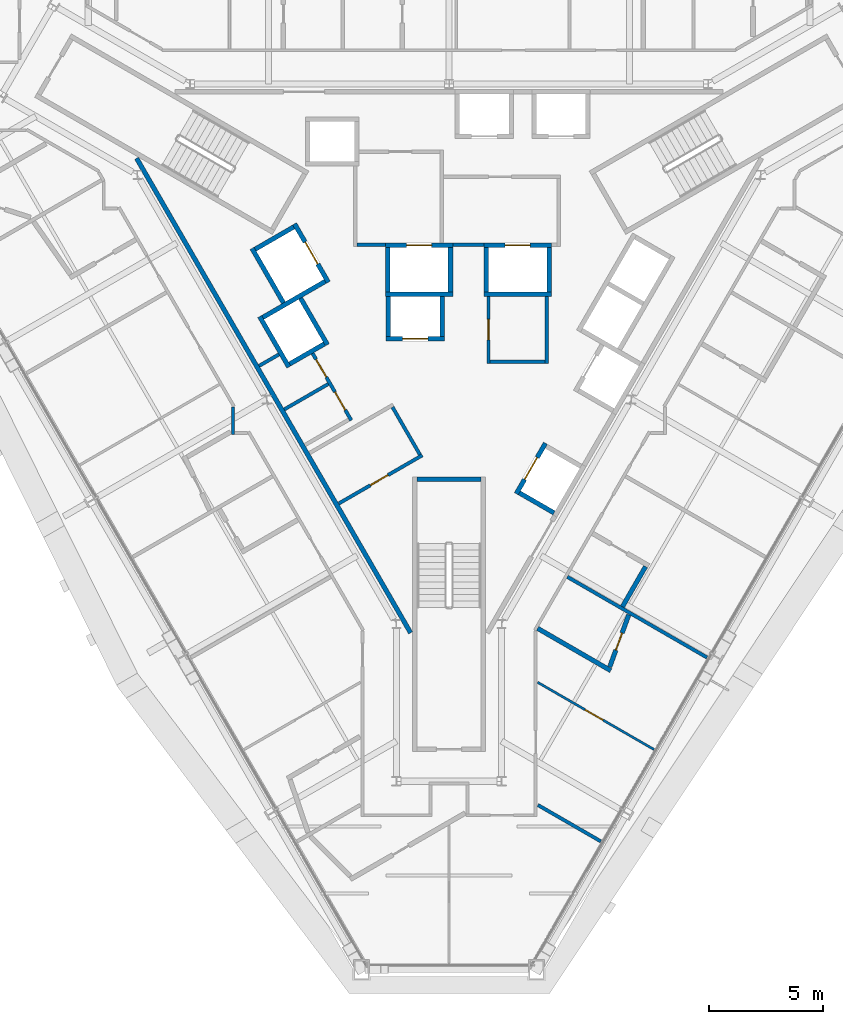
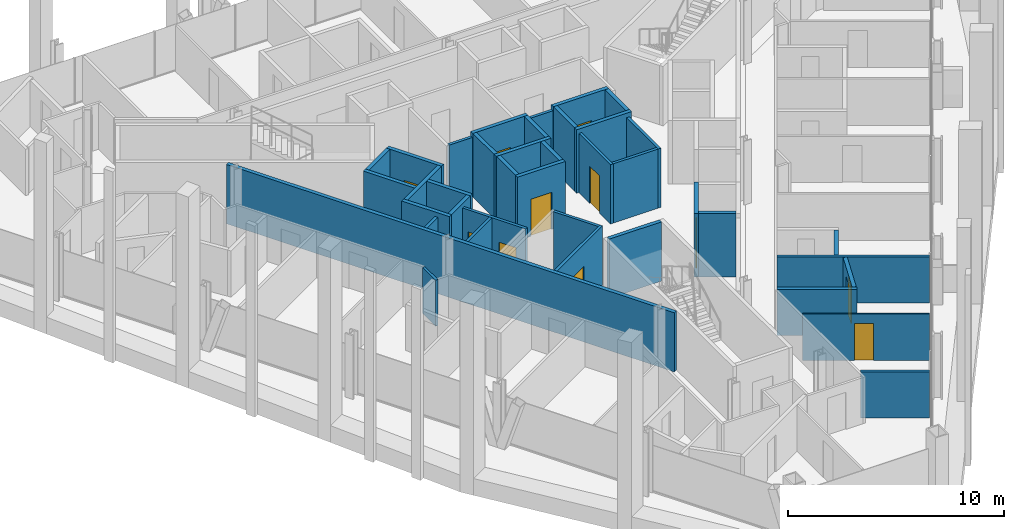
# One storey, part 11 of 17: 39 walls, 11 doors, 11 openings.
"""IFC4 building model written with IfcOpenShell, lengths in metres."""

from ifc_helpers import new_model, si_unit, direction, frame, frame_2d, origin, place, context, subcontext, project, spatial, rectangle, extrude, material, layer, layer_set, type_object, element, fill, save


model = new_model("IFC4")

# Units and contexts
model_context = context("Model", 3, precision=1e-05, world=origin(), true_north=direction((0.0, 1.0)))
body_context = subcontext(model_context, "Body", "Model", "MODEL_VIEW")
ifc_project = project(units=[si_unit("LENGTHUNIT", "METRE"), si_unit("AREAUNIT", "SQUARE_METRE"), si_unit("VOLUMEUNIT", "CUBIC_METRE"), si_unit("PLANEANGLEUNIT", "RADIAN"), si_unit("MASSUNIT", "GRAM", prefix="KILO")], contexts=[model_context])

# Site, building, storey
site_placement = place(None, origin())
site = spatial("IfcSite", under=ifc_project, at=site_placement, CompositionType="ELEMENT")
building_placement = place(site_placement, origin())
building = spatial("IfcBuilding", under=site, at=building_placement, Name="Verrane Prism Tower", CompositionType="ELEMENT")
storey_placement = place(building_placement, frame((0.0, 0.0, 92.800048828125)))
storey = spatial("IfcBuildingStorey", under=building, at=storey_placement, Name="L21", CompositionType="ELEMENT", Elevation=92.800048828125)

# Walls
ifc_material_1 = material(Name="Gypsum board partition", Category="other")
ifc_layer_1 = layer(ifc_material_1, 0.199951171875)
ifc_layer_set_1 = layer_set([ifc_layer_1], Name="CW-200 core boundary wall 2 h")
wall_type_1 = type_object("IfcWallType", Name="CW-200 core boundary wall 2 h", PredefinedType="PARTITIONING", material=ifc_layer_set_1)
wall_1_placement = place(storey_placement, frame((-13.66357421875, 5.946044921875, 0.0), z_axis=(0.0, 0.0, 1.0), x_axis=(0.499994327219, -0.866028678941, 0.0)))
element("IfcWall", 1, at=wall_1_placement, inside=storey, type_object=wall_type_1, Name="Core boundary wall CW3-001", PredefinedType="PARTITIONING", context=body_context, shape_type="SweptSolid", body=[
    extrude(rectangle(XDim=23.967529296875, YDim=0.199951171875, at=frame_2d((11.98388671875, 0.0))), origin(), (0.0, 0.0, 1.0), 3.349853515625),
])
ifc_material_2 = material(Name="Concrete C40/50", Category="concrete")
ifc_layer_2 = layer(ifc_material_2, 0.199951171875)
ifc_layer_set_2 = layer_set([ifc_layer_2], Name="CW-200 stair core wall concrete C40/50 3 h")
wall_type_2 = type_object("IfcWallType", Name="CW-200 stair core wall concrete C40/50 3 h", PredefinedType="PARTITIONING", material=ifc_layer_set_2)
wall_2_placement = place(storey_placement, frame((-1.39990234375, -8.10009765625, 0.0), z_axis=(0.0, 0.0, 1.0), x_axis=(1.0, 0.0, 0.0)))
element("IfcWall", 2, at=wall_2_placement, inside=storey, type_object=wall_type_2, Name="Stair 3 enclosure wall", PredefinedType="PARTITIONING", context=body_context, shape_type="SweptSolid", body=[
    extrude(rectangle(XDim=2.7998046875, YDim=0.199951171875, at=frame_2d((1.39990234375, 0.0))), origin(), (0.0, 0.0, 1.0), 3.349853515625),
])

# Wall, opening, door
ifc_material_3 = material(Name="Gypsum board shaft wall assembly", Category="other")
ifc_layer_3 = layer(ifc_material_3, 0.199951171875)
ifc_layer_set_3 = layer_set([ifc_layer_3], Name="HW-200 lift shaft wall 2 h")
wall_type_3 = type_object("IfcWallType", Name="HW-200 lift shaft wall 2 h", PredefinedType="PARTITIONING", material=ifc_layer_set_3)
wall_3_placement = place(storey_placement, frame((-2.7548828125, -1.949951171875, 0.0), z_axis=(0.0, 0.0, 1.0), x_axis=(1.0, 0.0, 0.0)))
wall_3 = element("IfcWall", 3, at=wall_3_placement, inside=storey, type_object=wall_type_3, Name="Lift shaft wall", PredefinedType="PARTITIONING", context=body_context, shape_type="SweptSolid", body=[
    extrude(rectangle(XDim=2.5498046875, YDim=0.199951171875, at=frame_2d((1.27490234375, 0.0))), origin(), (0.0, 0.0, 1.0), 3.599853515625),
])
opening_1_placement = place(wall_3_placement, frame((0.72509765625, 0.0, 0.0)))
opening_1 = element("IfcOpeningElement", 4, at=opening_1_placement, cuts=wall_3, Name="Opening D21504", PredefinedType="OPENING", context=body_context, shape_type="SweptSolid", body=[
    extrude(rectangle(XDim=1.10009765625, YDim=2.10009765625, at=frame_2d((0.550048828125, 1.050048828125))), frame((0.0, 0.10986328125, 0.0), z_axis=(0.0, -1.0, 0.0), x_axis=(1.0, 0.0, 0.0)), (0.0, 0.0, 1.0), 0.219970703125),
])
ifc_material_4 = material(Name="Stainless steel sliding landing door", Category="steel")
door_type_1 = type_object("IfcDoorType", Name="LD-1100x2100 lift landing door FD90 sliding", OperationType="NOTDEFINED", PredefinedType="DOOR", material=ifc_material_4)
door_1_placement = place(opening_1_placement, origin())
door_1 = element("IfcDoor", 5, at=door_1_placement, inside=storey, type_object=door_type_1, Name="Bank A lift 2 landing door", OperationType="SLIDING_TO_RIGHT", OverallHeight=2.10009765625, OverallWidth=1.10009765625, PredefinedType="DOOR", context=body_context, shape_type="SweptSolid", body=[
    extrude(rectangle(XDim=1.10009765625, YDim=2.10009765625, at=frame_2d((0.550048828125, 1.050048828125))), frame((0.0, 0.02490234375, 0.0), z_axis=(0.0, -1.0, 0.0), x_axis=(1.0, 0.0, 0.0)), (0.0, 0.0, 1.0), 0.050048828125),
])
fill(opening_1, door_1)

# Walls
wall_4_placement = place(storey_placement, frame((-2.784912109375, 0.0, 0.0), z_axis=(0.0, 0.0, 1.0), x_axis=(1.0, 0.0, 0.0)))
element("IfcWall", 6, at=wall_4_placement, inside=storey, type_object=wall_type_3, Name="Lift shaft wall", PredefinedType="PARTITIONING", context=body_context, shape_type="SweptSolid", body=[
    extrude(rectangle(XDim=2.949951171875, YDim=0.199951171875, at=frame_2d((1.47509765625, 0.0))), origin(), (0.0, 0.0, 1.0), 3.599853515625),
])
wall_5_placement = place(storey_placement, frame((1.52490234375, 0.0, 0.0), z_axis=(0.0, 0.0, 1.0), x_axis=(1.0, 0.0, 0.0)))
element("IfcWall", 7, at=wall_5_placement, inside=storey, type_object=wall_type_3, Name="Lift shaft wall", PredefinedType="PARTITIONING", context=body_context, shape_type="SweptSolid", body=[
    extrude(rectangle(XDim=2.9501953125, YDim=0.199951171875, at=frame_2d((1.47509765625, 0.0))), origin(), (0.0, 0.0, 1.0), 3.599853515625),
])

# Wall, opening, door
wall_6_placement = place(storey_placement, frame((-2.784912109375, 2.14990234375, 0.0), z_axis=(0.0, 0.0, 1.0), x_axis=(1.0, 0.0, 0.0)))
wall_6 = element("IfcWall", 8, at=wall_6_placement, inside=storey, type_object=wall_type_3, Name="Lift shaft wall", PredefinedType="PARTITIONING", context=body_context, shape_type="SweptSolid", body=[
    extrude(rectangle(XDim=2.949951171875, YDim=0.199951171875, at=frame_2d((1.47509765625, 0.0))), origin(), (0.0, 0.0, 1.0), 3.599853515625),
])
opening_2_placement = place(wall_6_placement, frame((0.925048828125, 0.0, 0.0)))
opening_2 = element("IfcOpeningElement", 9, at=opening_2_placement, cuts=wall_6, Name="Opening D21508", PredefinedType="OPENING", context=body_context, shape_type="SweptSolid", body=[
    extrude(rectangle(XDim=1.10009765625, YDim=2.10009765625, at=frame_2d((0.550048828125, 1.050048828125))), frame((0.0, 0.10986328125, 0.0), z_axis=(0.0, -1.0, 0.0), x_axis=(1.0, 0.0, 0.0)), (0.0, 0.0, 1.0), 0.219970703125),
])
door_2_placement = place(opening_2_placement, origin())
door_2 = element("IfcDoor", 10, at=door_2_placement, inside=storey, type_object=door_type_1, Name="Fire service lift 1 landing door", OperationType="SLIDING_TO_LEFT", OverallHeight=2.10009765625, OverallWidth=1.10009765625, PredefinedType="DOOR", context=body_context, shape_type="SweptSolid", body=[
    extrude(rectangle(XDim=1.10009765625, YDim=2.10009765625, at=frame_2d((0.550048828125, 1.050048828125))), frame((0.0, 0.02490234375, 0.0), z_axis=(0.0, -1.0, 0.0), x_axis=(1.0, 0.0, 0.0)), (0.0, 0.0, 1.0), 0.050048828125),
])
fill(opening_2, door_2)

wall_7_placement = place(storey_placement, frame((1.52490234375, 2.14990234375, 0.0), z_axis=(0.0, 0.0, 1.0), x_axis=(1.0, 0.0, 0.0)))
wall_7 = element("IfcWall", 11, at=wall_7_placement, inside=storey, type_object=wall_type_3, Name="Lift shaft wall", PredefinedType="PARTITIONING", context=body_context, shape_type="SweptSolid", body=[
    extrude(rectangle(XDim=2.9501953125, YDim=0.199951171875, at=frame_2d((1.47509765625, 0.0))), origin(), (0.0, 0.0, 1.0), 3.599853515625),
])
opening_3_placement = place(wall_7_placement, frame((0.925048828125, 0.0, 0.0)))
opening_3 = element("IfcOpeningElement", 12, at=opening_3_placement, cuts=wall_7, Name="Opening D21509", PredefinedType="OPENING", context=body_context, shape_type="SweptSolid", body=[
    extrude(rectangle(XDim=1.10009765625, YDim=2.10009765625, at=frame_2d((0.550048828125, 1.050048828125))), frame((0.0, 0.10986328125, 0.0), z_axis=(0.0, -1.0, 0.0), x_axis=(1.0, 0.0, 0.0)), (0.0, 0.0, 1.0), 0.219970703125),
])
door_3_placement = place(opening_3_placement, origin())
door_3 = element("IfcDoor", 13, at=door_3_placement, inside=storey, type_object=door_type_1, Name="Fire service lift 2 landing door", OperationType="SLIDING_TO_RIGHT", OverallHeight=2.10009765625, OverallWidth=1.10009765625, PredefinedType="DOOR", context=body_context, shape_type="SweptSolid", body=[
    extrude(rectangle(XDim=1.10009765625, YDim=2.10009765625, at=frame_2d((0.550048828125, 1.050048828125))), frame((0.0, 0.02490234375, 0.0), z_axis=(0.0, -1.0, 0.0), x_axis=(1.0, 0.0, 0.0)), (0.0, 0.0, 1.0), 0.050048828125),
])
fill(opening_3, door_3)

# Walls
wall_8_placement = place(storey_placement, frame((-6.9697265625, -3.048095703125, 0.0), z_axis=(0.0, 0.0, 1.0), x_axis=(0.866036909293, 0.499980071345, 0.0)))
element("IfcWall", 14, at=wall_8_placement, inside=storey, type_object=wall_type_3, Name="Lift shaft wall", PredefinedType="PARTITIONING", context=body_context, shape_type="SweptSolid", body=[
    extrude(rectangle(XDim=1.75, YDim=0.199951171875, at=frame_2d((0.875, 0.0))), origin(), (0.0, 0.0, 1.0), 3.599853515625),
])
wall_9_placement = place(storey_placement, frame((-8.14453125, -1.012939453125, 0.0), z_axis=(0.0, 0.0, 1.0), x_axis=(0.866016494683, 0.500015430699, 0.0)))
element("IfcWall", 15, at=wall_9_placement, inside=storey, type_object=wall_type_3, Name="Lift shaft wall", PredefinedType="PARTITIONING", context=body_context, shape_type="SweptSolid", body=[
    extrude(rectangle(XDim=3.14990234375, YDim=0.199951171875, at=frame_2d((1.574951171875, 0.0))), origin(), (0.0, 0.0, 1.0), 3.599853515625),
])
wall_10_placement = place(storey_placement, frame((-8.48046875, 1.968505859375, 0.0), z_axis=(0.0, 0.0, 1.0), x_axis=(0.866000020948, 0.500043961785, 0.0)))
element("IfcWall", 16, at=wall_10_placement, inside=storey, type_object=wall_type_3, Name="Lift shaft wall", PredefinedType="PARTITIONING", context=body_context, shape_type="SweptSolid", body=[
    extrude(rectangle(XDim=1.949951171875, YDim=0.199951171875, at=frame_2d((0.97509765625, 0.0))), origin(), (0.0, 0.0, 1.0), 3.599853515625),
])

# Wall, opening, door
wall_11_placement = place(storey_placement, frame((2.941650390625, -8.724853515625, 0.0), z_axis=(0.0, 0.0, 1.0), x_axis=(0.500020783669, 0.866013403995, 0.0)))
wall_11 = element("IfcWall", 17, at=wall_11_placement, inside=storey, type_object=wall_type_3, Name="Lift shaft wall", PredefinedType="PARTITIONING", context=body_context, shape_type="SweptSolid", body=[
    extrude(rectangle(XDim=2.55029296875, YDim=0.199951171875, at=frame_2d((1.275146484375, 0.0))), origin(), (0.0, 0.0, 1.0), 3.599853515625),
])
opening_4_placement = place(wall_11_placement, frame((0.72509765625, 0.0, 0.0)))
opening_4 = element("IfcOpeningElement", 18, at=opening_4_placement, cuts=wall_11, Name="Opening D21506", PredefinedType="OPENING", context=body_context, shape_type="SweptSolid", body=[
    extrude(rectangle(XDim=1.10009765625, YDim=2.10009765625, at=frame_2d((0.550048828125, 1.050048828125))), frame((0.0, 0.10986328125, 0.0), z_axis=(0.0, -1.0, 0.0), x_axis=(1.0, 0.0, 0.0)), (0.0, 0.0, 1.0), 0.219970703125),
])
door_4_placement = place(opening_4_placement, origin())
door_4 = element("IfcDoor", 19, at=door_4_placement, inside=storey, type_object=door_type_1, Name="Bank A lift 4 landing door", OperationType="SLIDING_TO_RIGHT", OverallHeight=2.10009765625, OverallWidth=1.10009765625, PredefinedType="DOOR", context=body_context, shape_type="SweptSolid", body=[
    extrude(rectangle(XDim=1.10009765625, YDim=2.10009765625, at=frame_2d((0.550048828125, 1.050048828125))), frame((0.0, 0.02490234375, 0.0), z_axis=(0.0, -1.0, 0.0), x_axis=(1.0, 0.0, 0.0)), (0.0, 0.0, 1.0), 0.050048828125),
])
fill(opening_4, door_4)

# Walls
for number, where, z_axis, x_axis, name in (
    (20, (4.375, 0.10009765625, 0.0), (0.0, 0.0, 1.0), (0.0, 1.0, 0.0), "Lift shaft wall"),
    (21, (1.625, 0.10009765625, 0.0), (0.0, 0.0, 1.0), (0.0, 1.0, 0.0), "Lift shaft wall"),
    (22, (0.06494140625, 0.10009765625, 0.0), (0.0, 0.0, 1.0), (0.0, 1.0, 0.0), "Lift shaft wall"),
):
    element("IfcWall", number, at=place(storey_placement, frame(where, z_axis=z_axis, x_axis=x_axis)), inside=storey, type_object=wall_type_3, Name=name, PredefinedType="PARTITIONING", context=body_context, shape_type="SweptSolid", body=[
        extrude(rectangle(XDim=1.949951171875, YDim=0.199951171875, at=frame_2d((0.97509765625, 0.0))), origin(), (0.0, 0.0, 1.0), 3.599853515625),
    ])
for number, where, z_axis, x_axis, name in (
    (23, (-0.304931640625, -1.85009765625, 0.0), (0.0, 0.0, 1.0), (0.0, 1.0, 0.0), "Lift shaft wall"),
    (24, (-2.655029296875, -1.85009765625, 0.0), (0.0, 0.0, 1.0), (0.0, 1.0, 0.0), "Lift shaft wall"),
):
    element("IfcWall", number, at=place(storey_placement, frame(where, z_axis=z_axis, x_axis=x_axis)), inside=storey, type_object=wall_type_3, Name=name, PredefinedType="PARTITIONING", context=body_context, shape_type="SweptSolid", body=[
        extrude(rectangle(XDim=1.75, YDim=0.199951171875, at=frame_2d((0.875, 0.0))), origin(), (0.0, 0.0, 1.0), 3.599853515625),
    ])
wall_12_placement = place(storey_placement, frame((-2.68505859375, 0.10009765625, 0.0), z_axis=(0.0, 0.0, 1.0), x_axis=(0.0, 1.0, 0.0)))
element("IfcWall", 25, at=wall_12_placement, inside=storey, type_object=wall_type_3, Name="Lift shaft wall", PredefinedType="PARTITIONING", context=body_context, shape_type="SweptSolid", body=[
    extrude(rectangle(XDim=1.949951171875, YDim=0.199951171875, at=frame_2d((0.97509765625, 0.0))), origin(), (0.0, 0.0, 1.0), 3.599853515625),
])

# Wall, opening, door
wall_13_placement = place(storey_placement, frame((-5.280029296875, 0.525390625, 0.0), z_axis=(0.0, 0.0, 1.0), x_axis=(-0.500037662692, 0.866003658127, 0.0)))
wall_13 = element("IfcWall", 26, at=wall_13_placement, inside=storey, type_object=wall_type_3, Name="Lift shaft wall", PredefinedType="PARTITIONING", context=body_context, shape_type="SweptSolid", body=[
    extrude(rectangle(XDim=2.949951171875, YDim=0.199951171875, at=frame_2d((1.47509765625, 0.0))), origin(), (0.0, 0.0, 1.0), 3.599853515625),
])
opening_5_placement = place(wall_13_placement, frame((0.925048828125, 0.0, 0.0)))
opening_5 = element("IfcOpeningElement", 27, at=opening_5_placement, cuts=wall_13, Name="Opening D21510", PredefinedType="OPENING", context=body_context, shape_type="SweptSolid", body=[
    extrude(rectangle(XDim=1.10009765625, YDim=2.10009765625, at=frame_2d((0.550048828125, 1.050048828125))), frame((0.0, 0.10986328125, 0.0), z_axis=(0.0, -1.0, 0.0), x_axis=(1.0, 0.0, 0.0)), (0.0, 0.0, 1.0), 0.219970703125),
])
door_5_placement = place(opening_5_placement, origin())
door_5 = element("IfcDoor", 28, at=door_5_placement, inside=storey, type_object=door_type_1, Name="Service lift 1 landing door", OperationType="SLIDING_TO_LEFT", OverallHeight=2.10009765625, OverallWidth=1.10009765625, PredefinedType="DOOR", context=body_context, shape_type="SweptSolid", body=[
    extrude(rectangle(XDim=1.10009765625, YDim=2.10009765625, at=frame_2d((0.550048828125, 1.050048828125))), frame((0.0, 0.02490234375, 0.0), z_axis=(0.0, -1.0, 0.0), x_axis=(1.0, 0.0, 0.0)), (0.0, 0.0, 1.0), 0.050048828125),
])
fill(opening_5, door_5)

# Walls
wall_14_placement = place(storey_placement, frame((-5.317626953125, -2.209716796875, 0.0), z_axis=(0.0, 0.0, 1.0), x_axis=(-0.499938297808, 0.866061024631, 0.0)))
element("IfcWall", 29, at=wall_14_placement, inside=storey, type_object=wall_type_3, Name="Lift shaft wall", PredefinedType="PARTITIONING", context=body_context, shape_type="SweptSolid", body=[
    extrude(rectangle(XDim=2.349853515625, YDim=0.199951171875, at=frame_2d((1.1748046875, 0.0))), origin(), (0.0, 0.0, 1.0), 3.599853515625),
])
wall_15_placement = place(storey_placement, frame((-7.241943359375, -0.37646484375, 0.0), z_axis=(0.0, 0.0, 1.0), x_axis=(-0.499996545922, 0.866027397988, 0.0)))
element("IfcWall", 30, at=wall_15_placement, inside=storey, type_object=wall_type_3, Name="Lift shaft wall", PredefinedType="PARTITIONING", context=body_context, shape_type="SweptSolid", body=[
    extrude(rectangle(XDim=2.75, YDim=0.199951171875, at=frame_2d((1.375, 0.0))), origin(), (0.0, 0.0, 1.0), 3.599853515625),
])
wall_16_placement = place(storey_placement, frame((-7.00634765625, -3.184814453125, 0.0), z_axis=(0.0, 0.0, 1.0), x_axis=(-0.499990435942, 0.866030925526, 0.0)))
element("IfcWall", 31, at=wall_16_placement, inside=storey, type_object=wall_type_3, Name="Lift shaft wall", PredefinedType="PARTITIONING", context=body_context, shape_type="SweptSolid", body=[
    extrude(rectangle(XDim=2.5498046875, YDim=0.199951171875, at=frame_2d((1.27490234375, 0.0))), origin(), (0.0, 0.0, 1.0), 3.599853515625),
])
wall_17_placement = place(storey_placement, frame((4.593994140625, -9.563232421875, 0.0), z_axis=(0.0, 0.0, 1.0), x_axis=(-0.866036909293, 0.499980071345, 0.0)))
element("IfcWall", 32, at=wall_17_placement, inside=storey, type_object=wall_type_3, Name="Lift shaft wall", PredefinedType="PARTITIONING", context=body_context, shape_type="SweptSolid", body=[
    extrude(rectangle(XDim=1.75, YDim=0.199951171875, at=frame_2d((0.875, 0.0))), origin(), (0.0, 0.0, 1.0), 3.599853515625),
])
ifc_material_5 = material(Name="Gypsum board partition", Category="other")
ifc_layer_4 = layer(ifc_material_5, 0.14990234375)
ifc_layer_set_4 = layer_set([ifc_layer_4], Name="LF-150 firefighting lobby wall 1 h")
wall_type_4 = type_object("IfcWallType", Name="LF-150 firefighting lobby wall 1 h", PredefinedType="PARTITIONING", material=ifc_layer_set_4)
wall_18_placement = place(storey_placement, frame((-4.02490234375, 2.159912109375, 0.0), z_axis=(0.0, 0.0, 1.0), x_axis=(1.0, 0.0, 0.0)))
element("IfcWall", 33, at=wall_18_placement, inside=storey, type_object=wall_type_4, Name="Firefighting lobby wall LF1-002", PredefinedType="PARTITIONING", context=body_context, shape_type="SweptSolid", body=[
    extrude(rectangle(XDim=1.23779296875, YDim=0.14990234375, at=frame_2d((0.618896484375, 0.0))), origin(), (0.0, 0.0, 1.0), 3.349853515625),
])
wall_19_placement = place(storey_placement, frame((0.1669921875, 2.159912109375, 0.0), z_axis=(0.0, 0.0, 1.0), x_axis=(1.0, 0.0, 0.0)))
element("IfcWall", 34, at=wall_19_placement, inside=storey, type_object=wall_type_4, Name="Firefighting lobby wall LF1-006", PredefinedType="PARTITIONING", context=body_context, shape_type="SweptSolid", body=[
    extrude(rectangle(XDim=1.35595703125, YDim=0.14990234375, at=frame_2d((0.677978515625, 0.0))), origin(), (0.0, 0.0, 1.0), 3.349853515625),
])

# Wall, opening, door
ifc_material_6 = material(Name="Gypsum board partition", Category="other")
ifc_layer_5 = layer(ifc_material_6, 0.10009765625)
ifc_layer_set_5 = layer_set([ifc_layer_5], Name="PW-100 room partition")
wall_type_5 = type_object("IfcWallType", Name="PW-100 room partition", PredefinedType="PARTITIONING", material=ifc_layer_set_5)
wall_20_placement = place(storey_placement, frame((3.87451171875, -16.972412109375, 0.0), z_axis=(0.0, 0.0, 1.0), x_axis=(0.86602429061, -0.500001928069, 0.0)))
wall_20 = element("IfcWall", 35, at=wall_20_placement, inside=storey, type_object=wall_type_5, Name="Room partition 058", PredefinedType="PARTITIONING", context=body_context, shape_type="SweptSolid", body=[
    extrude(rectangle(XDim=5.873046875, YDim=0.10009765625, at=frame_2d((2.9365234375, 0.0))), origin(), (0.0, 0.0, 1.0), 2.613037109375),
])
opening_6_placement = place(wall_20_placement, frame((2.39892578125, 0.0, 0.0)))
opening_6 = element("IfcOpeningElement", 36, at=opening_6_placement, cuts=wall_20, Name="Opening D21002", PredefinedType="OPENING", context=body_context, shape_type="SweptSolid", body=[
    extrude(rectangle(XDim=0.89990234375, YDim=2.10009765625, at=frame_2d((0.449951171875, 1.050048828125))), frame((0.0, 0.06005859375, 0.0), z_axis=(0.0, -1.0, 0.0), x_axis=(1.0, 0.0, 0.0)), (0.0, 0.0, 1.0), 0.1201171875),
])
ifc_material_7 = material(Name="Timber veneered door leaf", Category="wood")
door_type_2 = type_object("IfcDoorType", Name="DR-900x2100 single leaf inner", OperationType="NOTDEFINED", PredefinedType="DOOR", material=ifc_material_7)
door_6_placement = place(opening_6_placement, origin())
door_6 = element("IfcDoor", 37, at=door_6_placement, inside=storey, type_object=door_type_2, Name="Suite Living Room door", OperationType="SINGLE_SWING_RIGHT", OverallHeight=2.10009765625, OverallWidth=0.89990234375, PredefinedType="DOOR", context=body_context, shape_type="SweptSolid", body=[
    extrude(rectangle(XDim=0.89990234375, YDim=2.10009765625, at=frame_2d((0.449951171875, 1.050048828125))), frame((0.0, 0.02490234375, 0.0), z_axis=(0.0, -1.0, 0.0), x_axis=(1.0, 0.0, 0.0)), (0.0, 0.0, 1.0), 0.050048828125),
])
fill(opening_6, door_6)

# Walls
ifc_material_8 = material(Name="Gypsum board partition", Category="other")
ifc_layer_6 = layer(ifc_material_8, 0.125)
ifc_layer_set_6 = layer_set([ifc_layer_6], Name="PW-125 corridor wall 1 h")
wall_type_6 = type_object("IfcWallType", Name="PW-125 corridor wall 1 h", PredefinedType="PARTITIONING", material=ifc_layer_set_6)
wall_21_placement = place(storey_placement, frame((-9.44091796875, -6.133544921875, 0.0), z_axis=(0.0, 0.0, 1.0), x_axis=(0.0, 1.0, 0.0)))
element("IfcWall", 38, at=wall_21_placement, inside=storey, type_object=wall_type_6, Name="Corridor wall 033", PredefinedType="PARTITIONING", context=body_context, shape_type="SweptSolid", body=[
    extrude(rectangle(XDim=1.200439453125, YDim=0.125, at=frame_2d((0.60009765625, 0.0))), origin(), (0.0, 0.0, 1.0), 2.613037109375),
])
ifc_material_9 = material(Name="Gypsum board partition", Category="other")
ifc_layer_7 = layer(ifc_material_9, 0.14990234375)
ifc_layer_set_7 = layer_set([ifc_layer_7], Name="PW-150 demising wall 1 h")
wall_type_7 = type_object("IfcWallType", Name="PW-150 demising wall 1 h", PredefinedType="PARTITIONING", material=ifc_layer_set_7)
wall_22_placement = place(storey_placement, frame((3.886962890625, -22.33984375, 0.0), z_axis=(0.0, 0.0, 1.0), x_axis=(0.866065365018, -0.499930778725, 0.0)))
element("IfcWall", 39, at=wall_22_placement, inside=storey, type_object=wall_type_7, Name="Demising wall 057", PredefinedType="PARTITIONING", context=body_context, shape_type="SweptSolid", body=[
    extrude(rectangle(XDim=3.1787109375, YDim=0.14990234375, at=frame_2d((1.58935546875, 0.0))), origin(), (0.0, 0.0, 1.0), 2.613037109375),
])
wall_23_placement = place(storey_placement, frame((5.175048828125, -12.3623046875, 0.0), z_axis=(0.0, 0.0, 1.0), x_axis=(0.866031654768, -0.499989172823, 0.0)))
element("IfcWall", 40, at=wall_23_placement, inside=storey, type_object=wall_type_7, Name="Demising wall 061", PredefinedType="PARTITIONING", context=body_context, shape_type="SweptSolid", body=[
    extrude(rectangle(XDim=7.052001953125, YDim=0.14990234375, at=frame_2d((3.52587890625, 0.0))), origin(), (0.0, 0.0, 1.0), 2.613037109375),
])
ifc_material_10 = material(Name="Gypsum board partition", Category="other")
ifc_layer_8 = layer(ifc_material_10, 0.199951171875)
ifc_layer_set_8 = layer_set([ifc_layer_8], Name="PW-200 plumbing wall")
wall_type_8 = type_object("IfcWallType", Name="PW-200 plumbing wall", PredefinedType="PARTITIONING", material=ifc_layer_set_8)
wall_24_placement = place(storey_placement, frame((3.875244140625, -14.61328125, 0.0), z_axis=(0.0, 0.0, 1.0), x_axis=(0.865890522866, -0.500233547866, 0.0)))
element("IfcWall", 41, at=wall_24_placement, inside=storey, type_object=wall_type_8, Name="Plumbing wall 060", PredefinedType="PARTITIONING", context=body_context, shape_type="SweptSolid", body=[
    extrude(rectangle(XDim=3.693603515625, YDim=0.199951171875, at=frame_2d((1.8466796875, 0.0))), origin(), (0.0, 0.0, 1.0), 2.613037109375),
])

# Wall, opening, door
wall_25_placement = place(storey_placement, frame((7.028076171875, -16.29833984375, 0.0), z_axis=(0.0, 0.0, 1.0), x_axis=(0.342817359533, 0.939402074728, 0.0)))
wall_25 = element("IfcWall", 42, at=wall_25_placement, inside=storey, type_object=wall_type_8, Name="Plumbing wall 064", PredefinedType="PARTITIONING", context=body_context, shape_type="SweptSolid", body=[
    extrude(rectangle(XDim=2.42626953125, YDim=0.199951171875, at=frame_2d((1.213134765625, 0.0))), origin(), (0.0, 0.0, 1.0), 2.613037109375),
])
opening_7_placement = place(wall_25_placement, frame((0.780029296875, 0.0, 0.0)))
opening_7 = element("IfcOpeningElement", 43, at=opening_7_placement, cuts=wall_25, Name="Opening D21003", PredefinedType="OPENING", context=body_context, shape_type="SweptSolid", body=[
    extrude(rectangle(XDim=0.800048828125, YDim=2.10009765625, at=frame_2d((0.39990234375, 1.050048828125))), frame((0.0, 0.10986328125, 0.0), z_axis=(0.0, -1.0, 0.0), x_axis=(1.0, 0.0, 0.0)), (0.0, 0.0, 1.0), 0.219970703125),
])
ifc_material_11 = material(Name="Timber veneered door leaf", Category="wood")
door_type_3 = type_object("IfcDoorType", Name="DR-800x2100 single leaf bath", OperationType="NOTDEFINED", PredefinedType="DOOR", material=ifc_material_11)
door_7_placement = place(opening_7_placement, origin())
door_7 = element("IfcDoor", 44, at=door_7_placement, inside=storey, type_object=door_type_3, Name="En-Suite door", OperationType="SINGLE_SWING_LEFT", OverallHeight=2.10009765625, OverallWidth=0.800048828125, PredefinedType="DOOR", context=body_context, shape_type="SweptSolid", body=[
    extrude(rectangle(XDim=0.800048828125, YDim=2.10009765625, at=frame_2d((0.39990234375, 1.050048828125))), frame((0.0, 0.02490234375, 0.0), z_axis=(0.0, -1.0, 0.0), x_axis=(1.0, 0.0, 0.0)), (0.0, 0.0, 1.0), 0.050048828125),
])
fill(opening_7, door_7)

# Walls
wall_26_placement = place(storey_placement, frame((7.58349609375, -13.666015625, 0.0), z_axis=(0.0, 0.0, 1.0), x_axis=(0.49983374806, 0.866121368112, 0.0)))
element("IfcWall", 45, at=wall_26_placement, inside=storey, type_object=wall_type_8, Name="Plumbing wall 065", PredefinedType="PARTITIONING", context=body_context, shape_type="SweptSolid", body=[
    extrude(rectangle(XDim=2.025634765625, YDim=0.199951171875, at=frame_2d((1.0126953125, 0.0))), origin(), (0.0, 0.0, 1.0), 2.613037109375),
])
ifc_material_12 = material(Name="Gypsum board partition", Category="other")
ifc_layer_9 = layer(ifc_material_12, 0.14990234375)
ifc_layer_set_9 = layer_set([ifc_layer_9], Name="RS-150 riser enclosure wall 1 h")
wall_type_9 = type_object("IfcWallType", Name="RS-150 riser enclosure wall 1 h", PredefinedType="PARTITIONING", material=ifc_layer_set_9)
wall_27_placement = place(storey_placement, frame((-8.306396484375, -3.133056640625, 0.0), z_axis=(0.0, 0.0, 1.0), x_axis=(0.86606747808, 0.499927118101, 0.0)))
element("IfcWall", 46, at=wall_27_placement, inside=storey, type_object=wall_type_9, Name="Riser wall RS3-001", PredefinedType="PARTITIONING", context=body_context, shape_type="SweptSolid", body=[
    extrude(rectangle(XDim=0.998291015625, YDim=0.14990234375, at=frame_2d((0.4990234375, 0.0))), origin(), (0.0, 0.0, 1.0), 3.349853515625),
])
wall_28_placement = place(storey_placement, frame((-7.206298828125, -5.0380859375, 0.0), z_axis=(0.0, 0.0, 1.0), x_axis=(0.865944298464, 0.500140452231, 0.0)))
element("IfcWall", 47, at=wall_28_placement, inside=storey, type_object=wall_type_9, Name="Riser wall RS3-002", PredefinedType="PARTITIONING", context=body_context, shape_type="SweptSolid", body=[
    extrude(rectangle(XDim=2.224365234375, YDim=0.14990234375, at=frame_2d((1.1123046875, 0.0))), origin(), (0.0, 0.0, 1.0), 3.349853515625),
])

# Wall, openings, doors
wall_29_placement = place(storey_placement, frame((-4.277587890625, -5.511962890625, 0.0), z_axis=(0.0, 0.0, 1.0), x_axis=(-0.499933120428, 0.86606401328, 0.0)))
wall_29 = element("IfcWall", 48, at=wall_29_placement, inside=storey, type_object=wall_type_9, Name="Riser wall RS3-005", PredefinedType="PARTITIONING", context=body_context, shape_type="SweptSolid", body=[
    extrude(rectangle(XDim=3.37744140625, YDim=0.14990234375, at=frame_2d((1.688720703125, 0.0))), origin(), (0.0, 0.0, 1.0), 3.349853515625),
])
opening_8_placement = place(wall_29_placement, frame((2.17724609375, 0.0, 0.0)))
opening_8 = element("IfcOpeningElement", 49, at=opening_8_placement, cuts=wall_29, Name="Opening D21512", PredefinedType="OPENING", context=body_context, shape_type="SweptSolid", body=[
    extrude(rectangle(XDim=0.89990234375, YDim=2.10009765625, at=frame_2d((0.449951171875, 1.050048828125))), frame((0.0, 0.0849609375, 0.0), z_axis=(0.0, -1.0, 0.0), x_axis=(1.0, 0.0, 0.0)), (0.0, 0.0, 1.0), 0.169921875),
])
opening_9_placement = place(wall_29_placement, frame((0.525390625, 0.0, 0.0)))
opening_9 = element("IfcOpeningElement", 50, at=opening_9_placement, cuts=wall_29, Name="Opening D21513", PredefinedType="OPENING", context=body_context, shape_type="SweptSolid", body=[
    extrude(rectangle(XDim=0.89990234375, YDim=2.10009765625, at=frame_2d((0.449951171875, 1.050048828125))), frame((0.0, 0.0849609375, 0.0), z_axis=(0.0, -1.0, 0.0), x_axis=(1.0, 0.0, 0.0)), (0.0, 0.0, 1.0), 0.169921875),
])
ifc_material_13 = material(Name="Timber veneered door leaf", Category="wood")
door_type_4 = type_object("IfcDoorType", Name="DR-900x2100 FD60 single leaf riser", OperationType="NOTDEFINED", PredefinedType="DOOR", material=ifc_material_13)
door_8_placement = place(opening_8_placement, origin())
door_8 = element("IfcDoor", 51, at=door_8_placement, inside=storey, type_object=door_type_4, Name="Riser door D21512", OperationType="SINGLE_SWING_RIGHT", OverallHeight=2.10009765625, OverallWidth=0.89990234375, PredefinedType="DOOR", context=body_context, shape_type="SweptSolid", body=[
    extrude(rectangle(XDim=0.89990234375, YDim=2.10009765625, at=frame_2d((0.449951171875, 1.050048828125))), frame((0.0, 0.02490234375, 0.0), z_axis=(0.0, -1.0, 0.0), x_axis=(1.0, 0.0, 0.0)), (0.0, 0.0, 1.0), 0.050048828125),
])
fill(opening_8, door_8)
door_9_placement = place(opening_9_placement, origin())
door_9 = element("IfcDoor", 52, at=door_9_placement, inside=storey, type_object=door_type_4, Name="Riser door D21513", OperationType="SINGLE_SWING_LEFT", OverallHeight=2.10009765625, OverallWidth=0.89990234375, PredefinedType="DOOR", context=body_context, shape_type="SweptSolid", body=[
    extrude(rectangle(XDim=0.89990234375, YDim=2.10009765625, at=frame_2d((0.449951171875, 1.050048828125))), frame((0.0, 0.02490234375, 0.0), z_axis=(0.0, -1.0, 0.0), x_axis=(1.0, 0.0, 0.0)), (0.0, 0.0, 1.0), 0.050048828125),
])
fill(opening_9, door_9)

# Wall, opening, door
wall_30_placement = place(storey_placement, frame((-4.824951171875, -9.153564453125, 0.0), z_axis=(0.0, 0.0, 1.0), x_axis=(0.866023738697, 0.500002884005, 0.0)))
wall_30 = element("IfcWall", 53, at=wall_30_placement, inside=storey, type_object=wall_type_9, Name="Riser wall RS3-006", PredefinedType="PARTITIONING", context=body_context, shape_type="SweptSolid", body=[
    extrude(rectangle(XDim=4.22021484375, YDim=0.14990234375, at=frame_2d((2.110107421875, 0.0))), origin(), (0.0, 0.0, 1.0), 3.349853515625),
])
opening_10_placement = place(wall_30_placement, frame((1.594970703125, 0.0, 0.0)))
opening_10 = element("IfcOpeningElement", 54, at=opening_10_placement, cuts=wall_30, Name="Opening D21514", PredefinedType="OPENING", context=body_context, shape_type="SweptSolid", body=[
    extrude(rectangle(XDim=0.89990234375, YDim=2.10009765625, at=frame_2d((0.449951171875, 1.050048828125))), frame((0.0, 0.0849609375, 0.0), z_axis=(0.0, -1.0, 0.0), x_axis=(1.0, 0.0, 0.0)), (0.0, 0.0, 1.0), 0.169921875),
])
ifc_material_14 = material(Name="Timber veneered door leaf", Category="wood")
door_type_5 = type_object("IfcDoorType", Name="DR-900x2100 FD20 single leaf store", OperationType="NOTDEFINED", PredefinedType="DOOR", material=ifc_material_14)
door_10_placement = place(opening_10_placement, origin())
door_10 = element("IfcDoor", 55, at=door_10_placement, inside=storey, type_object=door_type_5, Name="Room door D21514", OperationType="SINGLE_SWING_LEFT", OverallHeight=2.10009765625, OverallWidth=0.89990234375, PredefinedType="DOOR", context=body_context, shape_type="SweptSolid", body=[
    extrude(rectangle(XDim=0.89990234375, YDim=2.10009765625, at=frame_2d((0.449951171875, 1.050048828125))), frame((0.0, 0.02490234375, 0.0), z_axis=(0.0, -1.0, 0.0), x_axis=(1.0, 0.0, 0.0)), (0.0, 0.0, 1.0), 0.050048828125),
])
fill(opening_10, door_10)

# Wall
wall_31_placement = place(storey_placement, frame((-2.472412109375, -4.93798828125, 0.0), z_axis=(0.0, 0.0, 1.0), x_axis=(0.500045362686, -0.865999212041, 0.0)))
element("IfcWall", 56, at=wall_31_placement, inside=storey, type_object=wall_type_9, Name="Riser wall RS3-007", PredefinedType="PARTITIONING", context=body_context, shape_type="SweptSolid", body=[
    extrude(rectangle(XDim=2.399658203125, YDim=0.14990234375, at=frame_2d((1.19970703125, 0.0))), origin(), (0.0, 0.0, 1.0), 3.349853515625),
])

# Wall, opening, door
wall_32_placement = place(storey_placement, frame((1.72509765625, -0.10205078125, 0.0), z_axis=(0.0, 0.0, 1.0), x_axis=(0.0, -1.0, 0.0)))
wall_32 = element("IfcWall", 57, at=wall_32_placement, inside=storey, type_object=wall_type_9, Name="Riser wall RS3-008", PredefinedType="PARTITIONING", context=body_context, shape_type="SweptSolid", body=[
    extrude(rectangle(XDim=2.9228515625, YDim=0.14990234375, at=frame_2d((1.46142578125, 0.0))), origin(), (0.0, 0.0, 1.0), 3.349853515625),
])
opening_11_placement = place(wall_32_placement, frame((0.998046875, 0.0, 0.0)))
opening_11 = element("IfcOpeningElement", 58, at=opening_11_placement, cuts=wall_32, Name="Opening D21518", PredefinedType="OPENING", context=body_context, shape_type="SweptSolid", body=[
    extrude(rectangle(XDim=0.89990234375, YDim=2.10009765625, at=frame_2d((0.449951171875, 1.050048828125))), frame((0.0, 0.0849609375, 0.0), z_axis=(0.0, -1.0, 0.0), x_axis=(1.0, 0.0, 0.0)), (0.0, 0.0, 1.0), 0.169921875),
])
door_11_placement = place(opening_11_placement, origin())
door_11 = element("IfcDoor", 59, at=door_11_placement, inside=storey, type_object=door_type_5, Name="Room door D21518", OperationType="SINGLE_SWING_LEFT", OverallHeight=2.10009765625, OverallWidth=0.89990234375, PredefinedType="DOOR", context=body_context, shape_type="SweptSolid", body=[
    extrude(rectangle(XDim=0.89990234375, YDim=2.10009765625, at=frame_2d((0.449951171875, 1.050048828125))), frame((0.0, 0.02490234375, 0.0), z_axis=(0.0, -1.0, 0.0), x_axis=(1.0, 0.0, 0.0)), (0.0, 0.0, 1.0), 0.050048828125),
])
fill(opening_11, door_11)

# Walls
wall_33_placement = place(storey_placement, frame((1.800048828125, -2.949951171875, 0.0), z_axis=(0.0, 0.0, 1.0), x_axis=(1.0, 0.0, 0.0)))
element("IfcWall", 60, at=wall_33_placement, inside=storey, type_object=wall_type_9, Name="Riser wall RS3-009", PredefinedType="PARTITIONING", context=body_context, shape_type="SweptSolid", body=[
    extrude(rectangle(XDim=2.39990234375, YDim=0.14990234375, at=frame_2d((1.199951171875, 0.0))), origin(), (0.0, 0.0, 1.0), 3.349853515625),
])
wall_34_placement = place(storey_placement, frame((4.27490234375, -3.02490234375, 0.0), z_axis=(0.0, 0.0, 1.0), x_axis=(0.0, 1.0, 0.0)))
element("IfcWall", 61, at=wall_34_placement, inside=storey, type_object=wall_type_9, Name="Riser wall RS3-010", PredefinedType="PARTITIONING", context=body_context, shape_type="SweptSolid", body=[
    extrude(rectangle(XDim=2.9228515625, YDim=0.14990234375, at=frame_2d((1.46142578125, 0.0))), origin(), (0.0, 0.0, 1.0), 3.349853515625),
])

save(model, "model.ifc")
